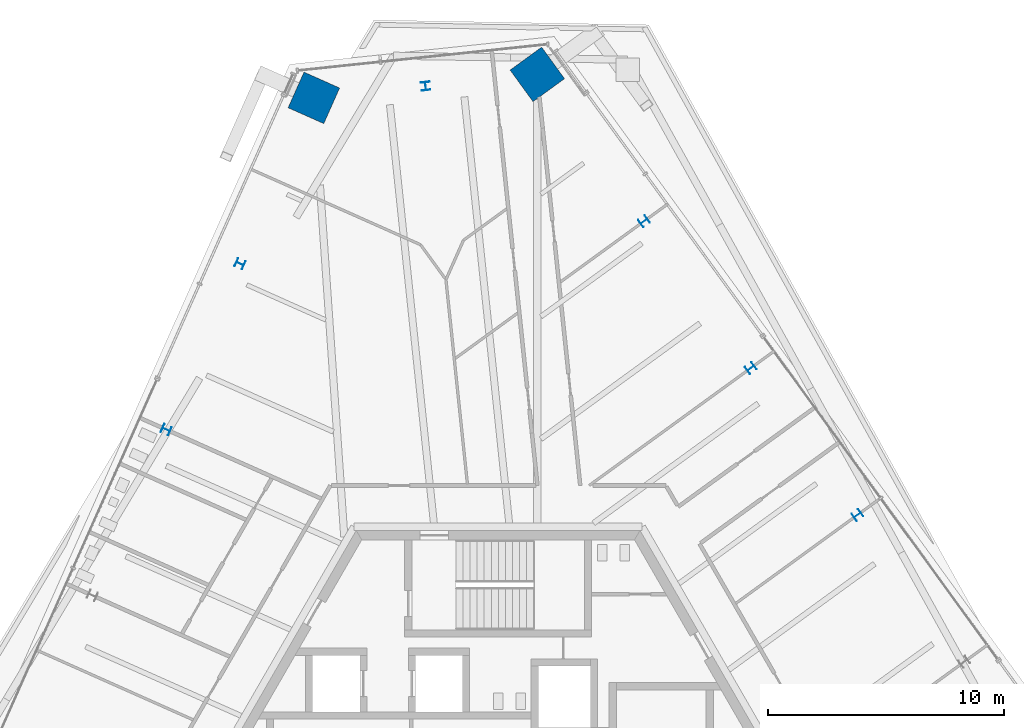
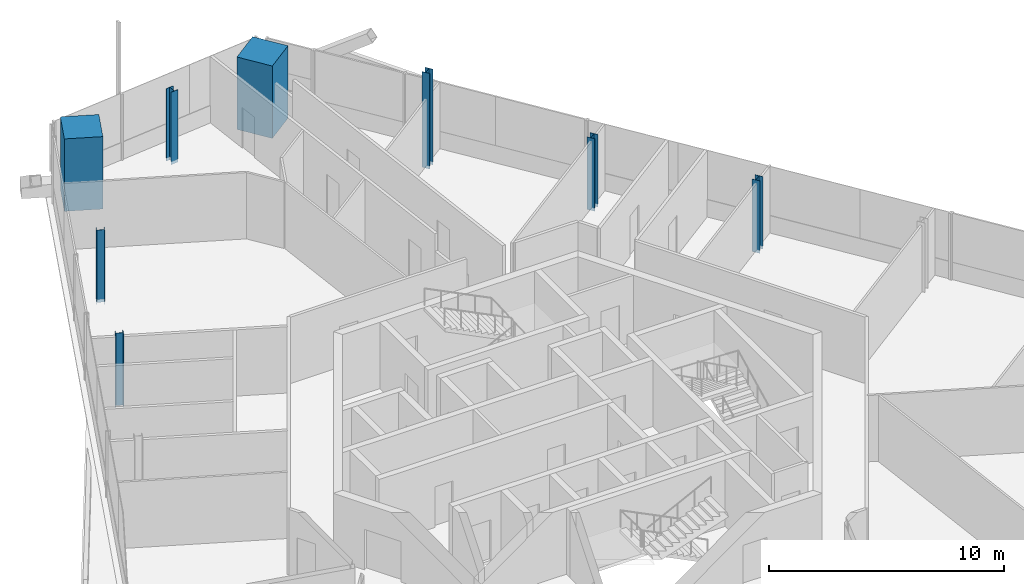
# One storey, part 3 of 21: 8 columns.
"""IFC4 building model written with IfcOpenShell, lengths in metres."""

from ifc_helpers import new_model, si_unit, direction, frame, origin, origin_2d, place, context, subcontext, project, spatial, rectangle, i_section, extrude, source, transform, mapped, material, material_profile, profile_set, type_object, element, save


model = new_model("IFC4")

# Units and contexts
model_context = context("Model", 3, precision=1e-05, world=origin(), true_north=direction((0.0, 1.0)))
body_context = subcontext(model_context, "Body", "Model", "MODEL_VIEW")
ifc_project = project(units=[si_unit("LENGTHUNIT", "METRE"), si_unit("AREAUNIT", "SQUARE_METRE"), si_unit("VOLUMEUNIT", "CUBIC_METRE"), si_unit("PLANEANGLEUNIT", "RADIAN"), si_unit("MASSUNIT", "GRAM", prefix="KILO")], contexts=[model_context])

# Site, building, storey
site_placement = place(None, origin())
site = spatial("IfcSite", under=ifc_project, at=site_placement, CompositionType="ELEMENT")
building_placement = place(site_placement, origin())
building = spatial("IfcBuilding", under=site, at=building_placement, Name="Triune Harvest Tower", CompositionType="ELEMENT")
storey_placement = place(building_placement, frame((0.0, 0.0, 219.699951171875)))
storey = spatial("IfcBuildingStorey", under=building, at=storey_placement, Name="L57", CompositionType="ELEMENT", Elevation=219.699951171875)

# Columns
ifc_material_1 = material(Name="Concrete 70 MPa", Category="concrete")
ifc_material_profile_1 = material_profile(ifc_material_1, rectangle(XDim=1.64990234375, YDim=1.64990234375, at=origin_2d()), Name="Composite 1650x1650")
ifc_profile_set_1 = profile_set([ifc_material_profile_1], Name="Concrete 70 MPa")
column_type_1 = type_object("IfcColumnType", Name="MC-6 Mega column Composite 1650x1650", PredefinedType="COLUMN", material=ifc_profile_set_1)
shared_shape_1 = source(origin(), body_context, "Body", "SweptSolid", [
    extrude(rectangle(XDim=1.64990234375, YDim=1.64990234375, at=origin_2d()), origin(), (0.0, 0.0, 1.0), 3.760009765625),
])
for number, where, z_axis, x_axis, name in (
    (1, (1.658203125, 29.681640625, -0.159912109375), (0.0, 0.0, 1.0), (-0.587785252292, 0.809016994375, 0.0), "col/L57/M6"),
    (2, (-7.793212890625, 28.688232421875, -0.159912109375), (0.0, 0.0, 1.0), (-0.406738237513, -0.913544747752, 0.0), "col/L57/M8"),
):
    element("IfcColumn", number, at=place(storey_placement, frame(where, z_axis=z_axis, x_axis=x_axis)), inside=storey, type_object=column_type_1, Name=name, PredefinedType="COLUMN", context=body_context, shape_type="MappedRepresentation", body=[
        mapped(shared_shape_1, transform((0.0, 0.0, 0.0), scale=1.0)),
    ])
ifc_material_2 = material(Name="Steel ASTM A992 Gr 50", Category="steel")
ifc_material_profile_2 = material_profile(ifc_material_2, i_section(OverallWidth=0.368408203125, OverallDepth=0.355712890625, WebThickness=0.01123046875, FlangeThickness=0.01806640625, at=origin_2d()), Name="W14x90")
ifc_profile_set_2 = profile_set([ifc_material_profile_2], Name="Steel ASTM A992 Gr 50")
column_type_2 = type_object("IfcColumnType", Name="PC-6 Perimeter column W14x90", PredefinedType="COLUMN", material=ifc_profile_set_2)
shared_shape_2 = source(origin(), body_context, "Body", "SweptSolid", [
    extrude(i_section(OverallWidth=0.368408203125, OverallDepth=0.355712890625, WebThickness=0.01123046875, FlangeThickness=0.01806640625, at=origin_2d()), origin(), (0.0, 0.0, 1.0), 3.760009765625),
])
for number, where, z_axis, x_axis, name in (
    (3, (15.19970703125, 11.043212890625, -0.159912109375), (0.0, 0.0, 1.0), (-0.587785252292, 0.809016994375, 0.0), "col/L57/P3"),
    (4, (10.685791015625, 17.256103515625, -0.159912109375), (0.0, 0.0, 1.0), (-0.587785252292, 0.809016994375, 0.0), "col/L57/P4"),
    (5, (-3.0673828125, 29.18505859375, -0.159912109375), (0.0, 0.0, 1.0), (-0.994521895368, -0.104528463268, 0.0), "col/L57/P7"),
    (6, (-10.91650390625, 21.6728515625, -0.159912109375), (0.0, 0.0, 1.0), (-0.406738237513, -0.913544747752, 0.0), "col/L57/P9"),
    (7, (-14.0400390625, 14.6572265625, -0.159912109375), (0.0, 0.0, 1.0), (-0.406738237513, -0.913544747752, 0.0), "col/L57/P10"),
):
    element("IfcColumn", number, at=place(storey_placement, frame(where, z_axis=z_axis, x_axis=x_axis)), inside=storey, type_object=column_type_2, Name=name, PredefinedType="COLUMN", context=body_context, shape_type="MappedRepresentation", body=[
        mapped(shared_shape_2, transform((0.0, 0.0, 0.0), scale=1.0)),
    ])
shared_shape_3 = source(origin(), body_context, "Body", "SweptSolid", [
    extrude(i_section(OverallWidth=0.368408203125, OverallDepth=0.355712890625, WebThickness=0.01123046875, FlangeThickness=0.01806640625, at=origin_2d()), origin(), (0.0, 0.0, 1.0), 4.9599609375),
])
column_placement = place(storey_placement, frame((6.172119140625, 23.468994140625, -0.159912109375), z_axis=(0.0, 0.0, 1.0), x_axis=(-0.587785252292, 0.809016994375, 0.0)))
element("IfcColumn", 8, at=column_placement, inside=storey, type_object=column_type_2, Name="col/L57/P5", PredefinedType="COLUMN", context=body_context, shape_type="MappedRepresentation", body=[
    mapped(shared_shape_3, transform((0.0, 0.0, 0.0), scale=1.0)),
])

save(model, "model.ifc")
